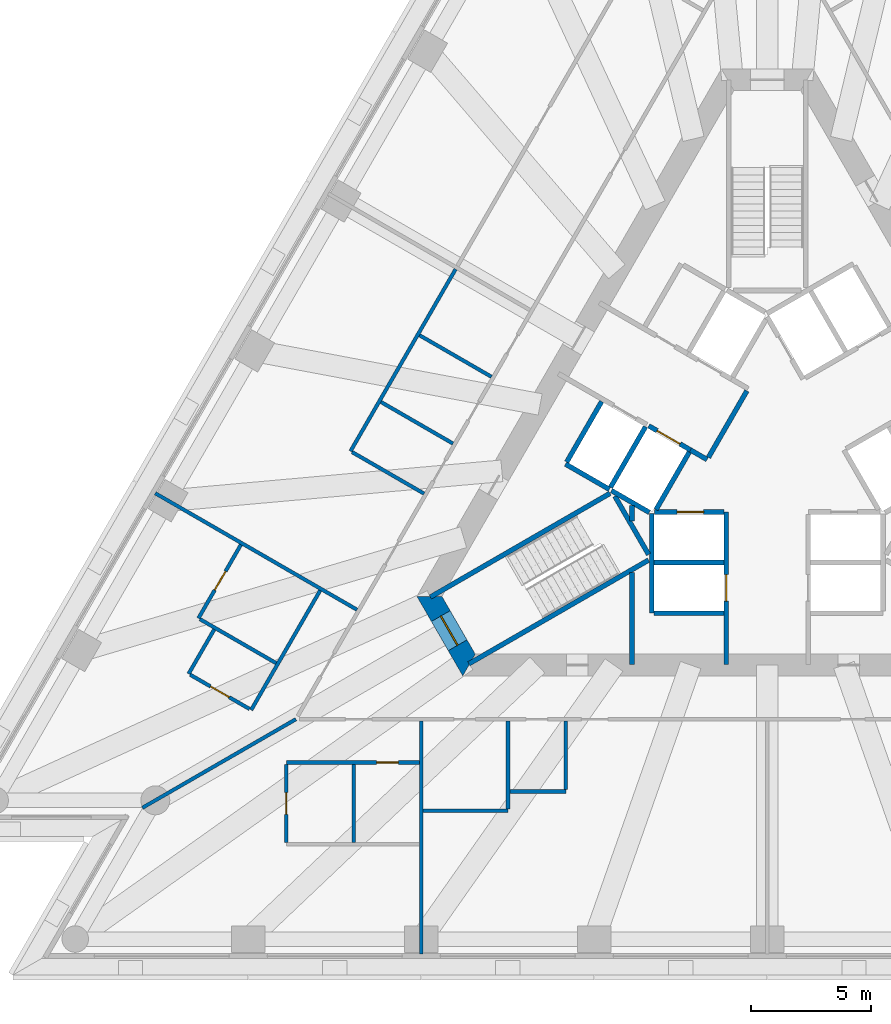
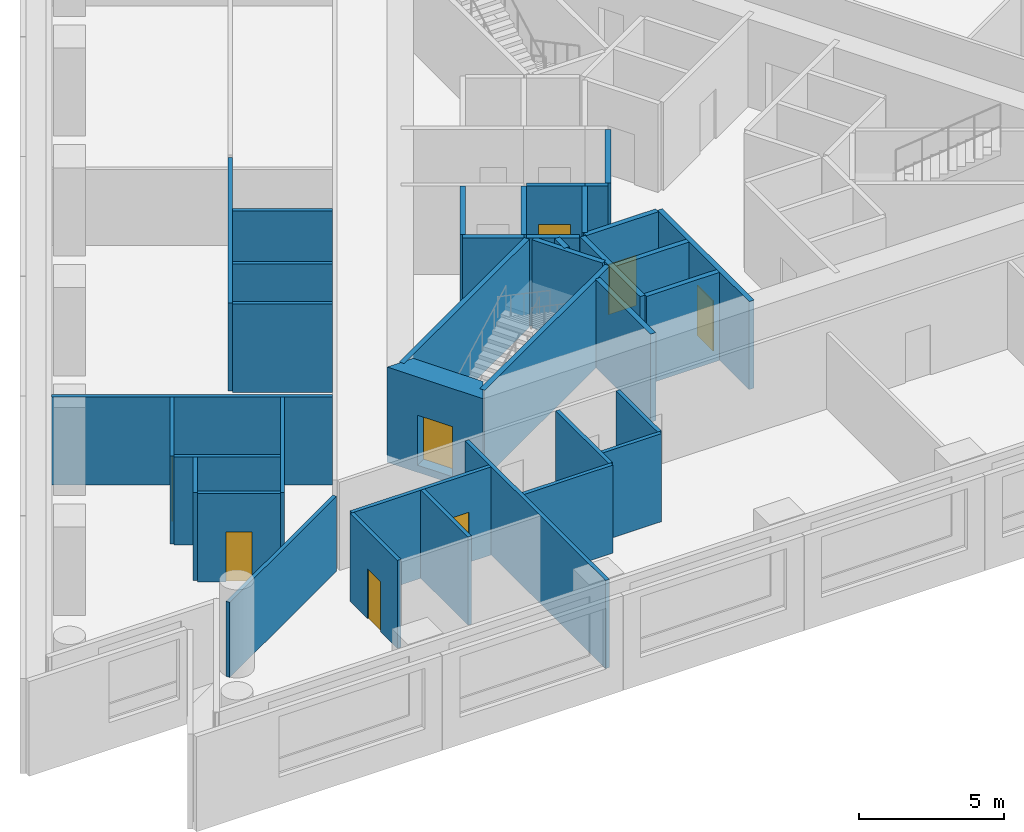
# One storey, part 3 of 11: 38 walls, 8 doors, 8 openings.
"""IFC4 building model written with IfcOpenShell, lengths in metres."""

from ifc_helpers import new_model, si_unit, direction, frame, frame_2d, origin, place, context, subcontext, project, spatial, polyline, rectangle, outline, extrude, material, layer, layer_set, type_object, element, fill, save


model = new_model("IFC4")

# Units and contexts
model_context = context("Model", 3, precision=1e-05, world=origin(), true_north=direction((0.0, 1.0)))
body_context = subcontext(model_context, "Body", "Model", "MODEL_VIEW")
ifc_project = project(units=[si_unit("LENGTHUNIT", "METRE"), si_unit("AREAUNIT", "SQUARE_METRE"), si_unit("VOLUMEUNIT", "CUBIC_METRE"), si_unit("PLANEANGLEUNIT", "RADIAN"), si_unit("MASSUNIT", "GRAM", prefix="KILO")], contexts=[model_context])

# Site, building, storey
site_placement = place(None, origin())
site = spatial("IfcSite", under=ifc_project, at=site_placement, CompositionType="ELEMENT")
building_placement = place(site_placement, origin())
building = spatial("IfcBuilding", under=site, at=building_placement, Name="Triada Interchange Tower", CompositionType="ELEMENT")
storey_placement = place(building_placement, frame((0.0, 0.0, 91.300048828125)))
storey = spatial("IfcBuildingStorey", under=building, at=storey_placement, Name="L20", CompositionType="ELEMENT", Elevation=91.300048828125)

# Walls
ifc_material_1 = material(Name="Concrete C30/37", Category="concrete")
ifc_layer_1 = layer(ifc_material_1, 0.199951171875)
ifc_layer_set_1 = layer_set([ifc_layer_1], Name="CORE WALL 200 EI 120")
wall_type_1 = type_object("IfcWallType", Name="CORE WALL 200 EI 120", PredefinedType="SOLIDWALL", material=ifc_layer_set_1)
wall_1_placement = place(storey_placement, frame((-8.3759765625, -0.70703125, 0.0), z_axis=(0.0, 0.0, 1.0), x_axis=(0.866067520717, -0.499927044236, 0.0)))
element("IfcWall", 1, at=wall_1_placement, inside=storey, type_object=wall_type_1, Name="Wall L18 42", PredefinedType="SOLIDWALL", context=body_context, shape_type="SweptSolid", body=[
    extrude(rectangle(XDim=2.100341796875, YDim=0.199951171875, at=frame_2d((1.05029296875, 0.0))), origin(), (0.0, 0.0, 1.0), 3.699951171875),
])
wall_2_placement = place(storey_placement, frame((-8.325927734375, -0.6201171875, 0.0), z_axis=(0.0, 0.0, 1.0), x_axis=(0.500023687443, 0.866011727401, 0.0)))
element("IfcWall", 2, at=wall_2_placement, inside=storey, type_object=wall_type_1, Name="Wall L18 43", PredefinedType="SOLIDWALL", context=body_context, shape_type="SweptSolid", body=[
    extrude(rectangle(XDim=2.899658203125, YDim=0.199951171875, at=frame_2d((1.44970703125, 0.0))), origin(), (0.0, 0.0, 1.0), 3.699951171875),
])
wall_3_placement = place(storey_placement, frame((-4.699951171875, -4.800048828125, 0.0), z_axis=(0.0, 0.0, 1.0), x_axis=(1.0, 0.0, 0.0)))
element("IfcWall", 3, at=wall_3_placement, inside=storey, type_object=wall_type_1, Name="Wall L18 44", PredefinedType="SOLIDWALL", context=body_context, shape_type="SweptSolid", body=[
    extrude(rectangle(XDim=2.89990234375, YDim=0.199951171875, at=frame_2d((1.449951171875, 0.0))), origin(), (0.0, 0.0, 1.0), 3.699951171875),
])
wall_4_placement = place(storey_placement, frame((-4.800048828125, -6.89990234375, 0.0), z_axis=(0.0, 0.0, 1.0), x_axis=(0.0, 1.0, 0.0)))
element("IfcWall", 4, at=wall_4_placement, inside=storey, type_object=wall_type_1, Name="Wall L18 46", PredefinedType="SOLIDWALL", context=body_context, shape_type="SweptSolid", body=[
    extrude(rectangle(XDim=4.130859375, YDim=0.199951171875, at=frame_2d((2.0654296875, 0.0))), origin(), (0.0, 0.0, 1.0), 3.699951171875),
])
wall_5_placement = place(storey_placement, frame((-4.699951171875, -6.89990234375, 0.0), z_axis=(0.0, 0.0, 1.0), x_axis=(1.0, 0.0, 0.0)))
element("IfcWall", 5, at=wall_5_placement, inside=storey, type_object=wall_type_1, Name="Wall L18 47", PredefinedType="SOLIDWALL", context=body_context, shape_type="SweptSolid", body=[
    extrude(rectangle(XDim=2.89990234375, YDim=0.199951171875, at=frame_2d((1.449951171875, 0.0))), origin(), (0.0, 0.0, 1.0), 3.699951171875),
])

# Wall, opening, door
wall_6_placement = place(storey_placement, frame((-1.699951171875, -9.030029296875, 0.0), z_axis=(0.0, 0.0, 1.0), x_axis=(0.0, 1.0, 0.0)))
wall_6 = element("IfcWall", 6, at=wall_6_placement, inside=storey, type_object=wall_type_1, Name="Wall L18 49", PredefinedType="SOLIDWALL", context=body_context, shape_type="SweptSolid", body=[
    extrude(rectangle(XDim=6.3271484375, YDim=0.199951171875, at=frame_2d((3.16357421875, 0.0))), origin(), (0.0, 0.0, 1.0), 3.699951171875),
])
opening_1_placement = place(wall_6_placement, frame((2.6298828125, 0.0, 0.0)))
opening_1 = element("IfcOpeningElement", 7, at=opening_1_placement, cuts=wall_6, Name="Opening LD-LR4", PredefinedType="OPENING", context=body_context, shape_type="SweptSolid", body=[
    extrude(rectangle(XDim=1.10009765625, YDim=2.10009765625, at=frame_2d((0.550048828125, 1.050048828125))), frame((0.0, 0.10986328125, 0.0), z_axis=(0.0, -1.0, 0.0), x_axis=(1.0, 0.0, 0.0)), (0.0, 0.0, 1.0), 0.219970703125),
])
ifc_material_2 = material(Name="Steel S235 door leaf", Category="steel")
door_type_1 = type_object("IfcDoorType", Name="LIFT LANDING DOOR 1100 EI 120", OperationType="SLIDING_TO_LEFT", PredefinedType="DOOR", material=ifc_material_2)
door_1_placement = place(opening_1_placement, origin())
door_1 = element("IfcDoor", 8, at=door_1_placement, inside=storey, type_object=door_type_1, Name="LR4 landing door L20", OperationType="SLIDING_TO_LEFT", OverallHeight=2.10009765625, OverallWidth=1.10009765625, PredefinedType="DOOR", context=body_context, shape_type="SweptSolid", body=[
    extrude(rectangle(XDim=1.10009765625, YDim=2.10009765625, at=frame_2d((0.550048828125, 1.050048828125))), frame((0.0, 0.02490234375, 0.0), z_axis=(0.0, -1.0, 0.0), x_axis=(1.0, 0.0, 0.0)), (0.0, 0.0, 1.0), 0.050048828125),
])
fill(opening_1, door_1)

wall_7_placement = place(storey_placement, frame((-4.676025390625, -2.699951171875, 0.0), z_axis=(0.0, 0.0, 1.0), x_axis=(1.0, 0.0, 0.0)))
wall_7 = element("IfcWall", 9, at=wall_7_placement, inside=storey, type_object=wall_type_1, Name="Wall L18 50", PredefinedType="SOLIDWALL", context=body_context, shape_type="SweptSolid", body=[
    extrude(rectangle(XDim=2.873046875, YDim=0.199951171875, at=frame_2d((1.4365234375, 0.0))), origin(), (0.0, 0.0, 1.0), 3.699951171875),
])
opening_2_placement = place(wall_7_placement, frame((0.93701171875, 0.0, 0.0)))
opening_2 = element("IfcOpeningElement", 10, at=opening_2_placement, cuts=wall_7, Name="Opening LD-LR3", PredefinedType="OPENING", context=body_context, shape_type="SweptSolid", body=[
    extrude(rectangle(XDim=1.10009765625, YDim=2.10009765625, at=frame_2d((0.550048828125, 1.050048828125))), frame((0.0, 0.10986328125, 0.0), z_axis=(0.0, -1.0, 0.0), x_axis=(1.0, 0.0, 0.0)), (0.0, 0.0, 1.0), 0.219970703125),
])
door_2_placement = place(opening_2_placement, origin())
door_2 = element("IfcDoor", 11, at=door_2_placement, inside=storey, type_object=door_type_1, Name="LR3 landing door L20", OperationType="SLIDING_TO_LEFT", OverallHeight=2.10009765625, OverallWidth=1.10009765625, PredefinedType="DOOR", context=body_context, shape_type="SweptSolid", body=[
    extrude(rectangle(XDim=1.10009765625, YDim=2.10009765625, at=frame_2d((0.550048828125, 1.050048828125))), frame((0.0, 0.02490234375, 0.0), z_axis=(0.0, -1.0, 0.0), x_axis=(1.0, 0.0, 0.0)), (0.0, 0.0, 1.0), 0.050048828125),
])
fill(opening_2, door_2)

# Walls
ifc_layer_2 = layer(ifc_material_1, 0.199951171875)
ifc_layer_set_2 = layer_set([ifc_layer_2], Name="CORE WALL 200 EI 180")
wall_type_2 = type_object("IfcWallType", Name="CORE WALL 200 EI 180", PredefinedType="SOLIDWALL", material=ifc_layer_set_2)
wall_8_placement = place(storey_placement, frame((-3.18798828125, -0.1220703125, 0.0), z_axis=(0.0, 0.0, 1.0), x_axis=(0.865705793592, -0.50055317294, 0.0)))
element("IfcWall", 12, at=wall_8_placement, inside=storey, type_object=wall_type_2, Name="Wall L18 65", PredefinedType="SOLIDWALL", context=body_context, shape_type="SweptSolid", body=[
    extrude(rectangle(XDim=0.796875, YDim=0.199951171875, at=frame_2d((0.3984375, 0.0))), origin(), (0.0, 0.0, 1.0), 3.699951171875),
])
wall_9_placement = place(storey_placement, frame((-2.444091796875, -0.43310546875, 0.0), z_axis=(0.0, 0.0, 1.0), x_axis=(0.500035624827, 0.866004834804, 0.0)))
element("IfcWall", 13, at=wall_9_placement, inside=storey, type_object=wall_type_2, Name="Wall L18 70", PredefinedType="SOLIDWALL", context=body_context, shape_type="SweptSolid", body=[
    extrude(rectangle(XDim=3.194091796875, YDim=0.199951171875, at=frame_2d((1.59716796875, 0.0))), origin(), (0.0, 0.0, 1.0), 3.699951171875),
])
wall_10_placement = place(storey_placement, frame((-6.507080078125, -1.669921875, 0.0), z_axis=(0.0, 0.0, 1.0), x_axis=(0.50012328804, 0.865954211699, 0.0)))
element("IfcWall", 14, at=wall_10_placement, inside=storey, type_object=wall_type_2, Name="Shaft wall FF1 L18 71", PredefinedType="SOLIDWALL", context=body_context, shape_type="SweptSolid", body=[
    extrude(rectangle(XDim=2.899658203125, YDim=0.199951171875, at=frame_2d((1.44970703125, 0.0))), origin(), (0.0, 0.0, 1.0), 3.699951171875),
])
wall_11_placement = place(storey_placement, frame((-6.469970703125, -1.806884765625, 0.0), z_axis=(0.0, 0.0, 1.0), x_axis=(0.865883195159, -0.500246231712, 0.0)))
element("IfcWall", 15, at=wall_11_placement, inside=storey, type_object=wall_type_2, Name="Shaft wall FF1 L18 72", PredefinedType="SOLIDWALL", context=body_context, shape_type="SweptSolid", body=[
    extrude(rectangle(XDim=1.8154296875, YDim=0.199951171875, at=frame_2d((0.90771484375, 0.0))), origin(), (0.0, 0.0, 1.0), 3.699951171875),
])

# Wall, opening, door
wall_12_placement = place(storey_placement, frame((-4.922119140625, 0.87890625, 0.0), z_axis=(0.0, 0.0, 1.0), x_axis=(0.866073918653, -0.499915960366, 0.0)))
wall_12 = element("IfcWall", 16, at=wall_12_placement, inside=storey, type_object=wall_type_2, Name="Shaft wall FF1 L18 73", PredefinedType="SOLIDWALL", context=body_context, shape_type="SweptSolid", body=[
    extrude(rectangle(XDim=2.002197265625, YDim=0.199951171875, at=frame_2d((1.0009765625, 0.0))), origin(), (0.0, 0.0, 1.0), 3.699951171875),
])
opening_3_placement = place(wall_12_placement, frame((0.402099609375, 0.0, 0.0)))
opening_3 = element("IfcOpeningElement", 17, at=opening_3_placement, cuts=wall_12, Name="Opening LD-FF1", PredefinedType="OPENING", context=body_context, shape_type="SweptSolid", body=[
    extrude(rectangle(XDim=1.10009765625, YDim=2.10009765625, at=frame_2d((0.550048828125, 1.050048828125))), frame((0.0, 0.10986328125, 0.0), z_axis=(0.0, -1.0, 0.0), x_axis=(1.0, 0.0, 0.0)), (0.0, 0.0, 1.0), 0.219970703125),
])
door_3_placement = place(opening_3_placement, origin())
door_3 = element("IfcDoor", 18, at=door_3_placement, inside=storey, type_object=door_type_1, Name="FF1 landing door L20", OperationType="SLIDING_TO_LEFT", OverallHeight=2.10009765625, OverallWidth=1.10009765625, PredefinedType="DOOR", context=body_context, shape_type="SweptSolid", body=[
    extrude(rectangle(XDim=1.10009765625, YDim=2.10009765625, at=frame_2d((0.550048828125, 1.050048828125))), frame((0.0, 0.02490234375, 0.0), z_axis=(0.0, -1.0, 0.0), x_axis=(1.0, 0.0, 0.0)), (0.0, 0.0, 1.0), 0.050048828125),
])
fill(opening_3, door_3)

# Walls
wall_13_placement = place(storey_placement, frame((-4.618896484375, -2.60009765625, 0.0), z_axis=(0.0, 0.0, 1.0), x_axis=(0.50009492287, 0.865970593103, 0.0)))
element("IfcWall", 19, at=wall_13_placement, inside=storey, type_object=wall_type_2, Name="Shaft wall FF1 L18 74", PredefinedType="SOLIDWALL", context=body_context, shape_type="SweptSolid", body=[
    extrude(rectangle(XDim=2.76123046875, YDim=0.199951171875, at=frame_2d((1.380615234375, 0.0))), origin(), (0.0, 0.0, 1.0), 3.699951171875),
])
ifc_layer_3 = layer(ifc_material_1, 0.199951171875)
ifc_layer_set_3 = layer_set([ifc_layer_3], Name="CORE WALL 200 EI 90")
wall_type_3 = type_object("IfcWallType", Name="CORE WALL 200 EI 90", PredefinedType="SOLIDWALL", material=ifc_layer_set_3)
wall_14_placement = place(storey_placement, frame((-5.612060546875, -9.030029296875, 0.0), z_axis=(0.0, 0.0, 1.0), x_axis=(0.0, 1.0, 0.0)))
element("IfcWall", 20, at=wall_14_placement, inside=storey, type_object=wall_type_3, Name="Wall L18 79", PredefinedType="SOLIDWALL", context=body_context, shape_type="SweptSolid", body=[
    extrude(rectangle(XDim=3.8271484375, YDim=0.199951171875, at=frame_2d((1.91357421875, 0.0))), origin(), (0.0, 0.0, 1.0), 3.699951171875),
])
wall_15_placement = place(storey_placement, frame((-5.612060546875, -3.080078125, 0.0), z_axis=(0.0, 0.0, 1.0), x_axis=(0.0, 1.0, 0.0)))
element("IfcWall", 21, at=wall_15_placement, inside=storey, type_object=wall_type_3, Name="Wall L18 80", PredefinedType="SOLIDWALL", context=body_context, shape_type="SweptSolid", body=[
    extrude(rectangle(XDim=0.662109375, YDim=0.199951171875, at=frame_2d((0.3310546875, 0.0))), origin(), (0.0, 0.0, 1.0), 3.699951171875),
])
ifc_layer_4 = layer(ifc_material_1, 0.199951171875)
ifc_layer_set_4 = layer_set([ifc_layer_4], Name="CORE WALL 200 REI 240")
wall_type_4 = type_object("IfcWallType", Name="CORE WALL 200 REI 240", PredefinedType="SOLIDWALL", material=ifc_layer_set_4)
wall_16_placement = place(storey_placement, frame((-13.989990234375, -6.22900390625, 0.0), z_axis=(0.0, 0.0, 1.0), x_axis=(0.866060059011, 0.499939970583, 0.0)))
element("IfcWall", 22, at=wall_16_placement, inside=storey, type_object=wall_type_4, Name="Wall L18 81", PredefinedType="SOLIDWALL", context=body_context, shape_type="SweptSolid", body=[
    extrude(rectangle(XDim=8.61474609375, YDim=0.199951171875, at=frame_2d((4.307373046875, 0.0))), origin(), (0.0, 0.0, 1.0), 3.699951171875),
])
wall_17_placement = place(storey_placement, frame((-6.3291015625, -2.0380859375, 0.0), z_axis=(0.0, 0.0, 1.0), x_axis=(0.500200581029, -0.865909567298, 0.0)))
element("IfcWall", 23, at=wall_17_placement, inside=storey, type_object=wall_type_4, Name="Wall L18 82", PredefinedType="SOLIDWALL", context=body_context, shape_type="SweptSolid", body=[
    extrude(rectangle(XDim=2.799072265625, YDim=0.199951171875, at=frame_2d((1.3994140625, 0.0))), origin(), (0.0, 0.0, 1.0), 3.699951171875),
])
wall_18_placement = place(storey_placement, frame((-12.389892578125, -9.0009765625, 0.0), z_axis=(0.0, 0.0, 1.0), x_axis=(0.866010975815, 0.500024989144, 0.0)))
element("IfcWall", 24, at=wall_18_placement, inside=storey, type_object=wall_type_4, Name="Wall L18 83", PredefinedType="SOLIDWALL", context=body_context, shape_type="SweptSolid", body=[
    extrude(rectangle(XDim=8.615234375, YDim=0.199951171875, at=frame_2d((4.3076171875, 0.0))), origin(), (0.0, 0.0, 1.0), 3.699951171875),
])

# Wall, opening, door
ifc_material_3 = material(Name="Concrete C70/85", Category="concrete")
ifc_layer_5 = layer(ifc_material_3, 0.89990234375)
ifc_layer_set_5 = layer_set([ifc_layer_5], Name="Core wall A 900")
wall_type_5 = type_object("IfcWallType", Name="Core wall A 900", PredefinedType="SHEAR", material=ifc_layer_set_5)
wall_19_placement = place(storey_placement, frame((-14.030029296875, -6.199951171875, -0.300048828125), z_axis=(0.0, 0.0, 1.0), x_axis=(0.500111984565, -0.865960739811, 0.0)))
wall_19 = element("IfcWall", 25, at=wall_19_placement, inside=storey, type_object=wall_type_5, Name="Core wall WA03 L20", PredefinedType="SHEAR", context=body_context, shape_type="SweptSolid", body=[
    extrude(outline(polyline([(-0.260009765625, -0.448974609375), (1.6455078125, -0.449462890625), (3.551025390625, -0.449951171875), (3.031982421875, 0.449951171875), (1.64599609375, 0.449951171875), (0.260009765625, 0.449951171875), (-0.260009765625, -0.448974609375)])), origin(), (0.0, 0.0, 1.0), 4.0),
])
opening_4_placement = place(wall_19_placement, frame((0.946044921875, 0.0, 0.300048828125)))
opening_4 = element("IfcOpeningElement", 26, at=opening_4_placement, cuts=wall_19, Name="Opening D18-40", PredefinedType="OPENING", context=body_context, shape_type="SweptSolid", body=[
    extrude(rectangle(XDim=1.39990234375, YDim=2.10009765625, at=frame_2d((0.699951171875, 1.050048828125))), frame((0.0, 0.4599609375, 0.0), z_axis=(0.0, -1.0, 0.0), x_axis=(1.0, 0.0, 0.0)), (0.0, 0.0, 1.0), 0.919921875),
])
door_type_2 = type_object("IfcDoorType", Name="STAIR DOOR 1400 EI2 90-C5S200", OperationType="DOUBLE_DOOR_SINGLE_SWING", PredefinedType="DOOR", material=ifc_material_2)
door_4_placement = place(opening_4_placement, origin())
door_4 = element("IfcDoor", 27, at=door_4_placement, inside=storey, type_object=door_type_2, Name="Door D18-40 L20", OperationType="DOUBLE_DOOR_SINGLE_SWING", OverallHeight=2.10009765625, OverallWidth=1.39990234375, PredefinedType="DOOR", context=body_context, shape_type="SweptSolid", body=[
    extrude(rectangle(XDim=1.39990234375, YDim=2.10009765625, at=frame_2d((0.699951171875, 1.050048828125))), frame((0.0, 0.02490234375, 0.0), z_axis=(0.0, -1.0, 0.0), x_axis=(1.0, 0.0, 0.0)), (0.0, 0.0, 1.0), 0.050048828125),
])
fill(opening_4, door_4)

# Walls
ifc_material_4 = material(Name="Gypsum board partition")
ifc_layer_6 = layer(ifc_material_4, 0.14990234375)
ifc_layer_set_6 = layer_set([ifc_layer_6], Name="PARTITION 150 EI 180")
wall_type_6 = type_object("IfcWallType", Name="PARTITION 150 EI 180", PredefinedType="PARTITIONING", material=ifc_layer_set_6)
wall_20_placement = place(storey_placement, frame((-25.946044921875, -14.97998046875, 0.0), z_axis=(0.0, 0.0, 1.0), x_axis=(0.866032022822, 0.499988535315, 0.0)))
element("IfcWall", 28, at=wall_20_placement, inside=storey, type_object=wall_type_6, Name="Wall L18 1", PredefinedType="PARTITIONING", context=body_context, shape_type="SweptSolid", body=[
    extrude(rectangle(XDim=7.360107421875, YDim=0.14990234375, at=frame_2d((3.68017578125, 0.0))), origin(), (0.0, 0.0, 1.0), 3.14990234375),
])
wall_21_placement = place(storey_placement, frame((-25.4130859375, -1.91796875, 0.0), z_axis=(0.0, 0.0, 1.0), x_axis=(0.866035557451, -0.499982412921, 0.0)))
element("IfcWall", 29, at=wall_21_placement, inside=storey, type_object=wall_type_6, Name="Wall L18 2", PredefinedType="PARTITIONING", context=body_context, shape_type="SweptSolid", body=[
    extrude(rectangle(XDim=9.674072265625, YDim=0.14990234375, at=frame_2d((4.8369140625, 0.0))), origin(), (0.0, 0.0, 1.0), 3.699951171875),
])
wall_22_placement = place(storey_placement, frame((-17.303955078125, -0.1708984375, 0.0), z_axis=(0.0, 0.0, 1.0), x_axis=(0.500054279689, 0.865994063124, 0.0)))
element("IfcWall", 30, at=wall_22_placement, inside=storey, type_object=wall_type_6, Name="Wall L18 7", PredefinedType="PARTITIONING", context=body_context, shape_type="SweptSolid", body=[
    extrude(rectangle(XDim=8.72509765625, YDim=0.14990234375, at=frame_2d((4.362548828125, 0.0))), origin(), (0.0, 0.0, 1.0), 3.699951171875),
])
for number, where, z_axis, x_axis, name in (
    (31, (-17.239013671875, -0.208984375, 0.0), (0.0, 0.0, 1.0), (0.866031223622, -0.49998991961, 0.0), "Wall L18 8"),
    (32, (-16.0390625, 1.8701171875, 0.0), (0.0, 0.0, 1.0), (0.866031223622, -0.49998991961, 0.0), "Wall L18 9"),
    (33, (-14.43896484375, 4.64111328125, 0.0), (0.0, 0.0, 1.0), (0.866031223622, -0.49998991961, 0.0), "Wall L18 10"),
):
    element("IfcWall", number, at=place(storey_placement, frame(where, z_axis=z_axis, x_axis=x_axis)), inside=storey, type_object=wall_type_6, Name=name, PredefinedType="PARTITIONING", context=body_context, shape_type="SweptSolid", body=[
        extrude(rectangle(XDim=3.4501953125, YDim=0.14990234375, at=frame_2d((1.72509765625, 0.0))), origin(), (0.0, 0.0, 1.0), 3.699951171875),
    ])
wall_23_placement = place(storey_placement, frame((-14.366943359375, -21.049072265625, 0.0), z_axis=(0.0, 0.0, 1.0), x_axis=(0.0, 1.0, 0.0)))
element("IfcWall", 34, at=wall_23_placement, inside=storey, type_object=wall_type_6, Name="Wall L18 11", PredefinedType="PARTITIONING", context=body_context, shape_type="SweptSolid", body=[
    extrude(rectangle(XDim=9.674072265625, YDim=0.14990234375, at=frame_2d((4.8369140625, 0.0))), origin(), (0.0, 0.0, 1.0), 3.699951171875),
])
wall_24_placement = place(storey_placement, frame((-14.2919921875, -15.10009765625, 0.0), z_axis=(0.0, 0.0, 1.0), x_axis=(1.0, 0.0, 0.0)))
element("IfcWall", 35, at=wall_24_placement, inside=storey, type_object=wall_type_6, Name="Wall L18 12", PredefinedType="PARTITIONING", context=body_context, shape_type="SweptSolid", body=[
    extrude(rectangle(XDim=3.52490234375, YDim=0.14990234375, at=frame_2d((1.762451171875, 0.0))), origin(), (0.0, 0.0, 1.0), 3.699951171875),
])
wall_25_placement = place(storey_placement, frame((-10.76708984375, -15.02490234375, 0.0), z_axis=(0.0, 0.0, 1.0), x_axis=(0.0, 1.0, 0.0)))
element("IfcWall", 36, at=wall_25_placement, inside=storey, type_object=wall_type_6, Name="Wall L18 13", PredefinedType="PARTITIONING", context=body_context, shape_type="SweptSolid", body=[
    extrude(rectangle(XDim=3.64990234375, YDim=0.14990234375, at=frame_2d((1.824951171875, 0.0))), origin(), (0.0, 0.0, 1.0), 3.699951171875),
])
wall_26_placement = place(storey_placement, frame((-10.69189453125, -14.300048828125, 0.0), z_axis=(0.0, 0.0, 1.0), x_axis=(1.0, 0.0, 0.0)))
element("IfcWall", 37, at=wall_26_placement, inside=storey, type_object=wall_type_6, Name="Wall L18 15", PredefinedType="PARTITIONING", context=body_context, shape_type="SweptSolid", body=[
    extrude(rectangle(XDim=2.324951171875, YDim=0.14990234375, at=frame_2d((1.16259765625, 0.0))), origin(), (0.0, 0.0, 1.0), 3.699951171875),
])
wall_27_placement = place(storey_placement, frame((-8.366943359375, -14.22509765625, 0.0), z_axis=(0.0, 0.0, 1.0), x_axis=(0.0, 1.0, 0.0)))
element("IfcWall", 38, at=wall_27_placement, inside=storey, type_object=wall_type_6, Name="Wall L18 16", PredefinedType="PARTITIONING", context=body_context, shape_type="SweptSolid", body=[
    extrude(rectangle(XDim=2.85009765625, YDim=0.14990234375, at=frame_2d((1.425048828125, 0.0))), origin(), (0.0, 0.0, 1.0), 3.699951171875),
])
ifc_layer_7 = layer(ifc_material_4, 0.14990234375)
ifc_layer_set_7 = layer_set([ifc_layer_7], Name="PARTITION 150 EI 90")
wall_type_7 = type_object("IfcWallType", Name="PARTITION 150 EI 90", PredefinedType="PARTITIONING", material=ifc_layer_set_7)
wall_28_placement = place(storey_placement, frame((-21.428955078125, -10.916015625, 0.0), z_axis=(0.0, 0.0, 1.0), x_axis=(0.500069422629, 0.865985318901, 0.0)))
element("IfcWall", 39, at=wall_28_placement, inside=storey, type_object=wall_type_7, Name="Wall L18 28", PredefinedType="PARTITIONING", context=body_context, shape_type="SweptSolid", body=[
    extrude(rectangle(XDim=5.725341796875, YDim=0.14990234375, at=frame_2d((2.86279296875, 0.0))), origin(), (0.0, 0.0, 1.0), 3.699951171875),
])

# Wall, opening, door
wall_29_placement = place(storey_placement, frame((-23.6201171875, -7.110107421875, 0.0), z_axis=(0.0, 0.0, 1.0), x_axis=(0.500236053335, 0.865889075427, 0.0)))
wall_29 = element("IfcWall", 40, at=wall_29_placement, inside=storey, type_object=wall_type_7, Name="Wall L18 29", PredefinedType="PARTITIONING", context=body_context, shape_type="SweptSolid", body=[
    extrude(rectangle(XDim=3.524658203125, YDim=0.14990234375, at=frame_2d((1.76220703125, 0.0))), origin(), (0.0, 0.0, 1.0), 3.699951171875),
])
opening_5_placement = place(wall_29_placement, frame((1.35009765625, 0.0, 0.0)))
opening_5 = element("IfcOpeningElement", 41, at=opening_5_placement, cuts=wall_29, Name="Opening D18-36", PredefinedType="OPENING", context=body_context, shape_type="SweptSolid", body=[
    extrude(rectangle(XDim=0.89990234375, YDim=2.10009765625, at=frame_2d((0.449951171875, 1.050048828125))), frame((0.0, 0.0849609375, 0.0), z_axis=(0.0, -1.0, 0.0), x_axis=(1.0, 0.0, 0.0)), (0.0, 0.0, 1.0), 0.169921875),
])
door_type_3 = type_object("IfcDoorType", Name="ROOM DOOR 900 EI2 45-C5S200", OperationType="NOTDEFINED", PredefinedType="DOOR", material=ifc_material_2)
door_5_placement = place(opening_5_placement, origin())
door_5 = element("IfcDoor", 42, at=door_5_placement, inside=storey, type_object=door_type_3, Name="Door D18-36 L20", OperationType="SINGLE_SWING_LEFT", OverallHeight=2.10009765625, OverallWidth=0.89990234375, PredefinedType="DOOR", context=body_context, shape_type="SweptSolid", body=[
    extrude(rectangle(XDim=0.89990234375, YDim=2.10009765625, at=frame_2d((0.449951171875, 1.050048828125))), frame((0.0, 0.02490234375, 0.0), z_axis=(0.0, -1.0, 0.0), x_axis=(1.0, 0.0, 0.0)), (0.0, 0.0, 1.0), 0.050048828125),
])
fill(opening_5, door_5)

# Walls
wall_30_placement = place(storey_placement, frame((-23.554931640625, -7.14794921875, 0.0), z_axis=(0.0, 0.0, 1.0), x_axis=(0.866024069551, -0.500002310952, 0.0)))
element("IfcWall", 43, at=wall_30_placement, inside=storey, type_object=wall_type_7, Name="Wall L18 30", PredefinedType="PARTITIONING", context=body_context, shape_type="SweptSolid", body=[
    extrude(rectangle(XDim=3.64990234375, YDim=0.14990234375, at=frame_2d((1.824951171875, 0.0))), origin(), (0.0, 0.0, 1.0), 3.699951171875),
])
wall_31_placement = place(storey_placement, frame((-24.027099609375, -9.416015625, 0.0), z_axis=(0.0, 0.0, 1.0), x_axis=(0.500017365573, 0.866015377534, 0.0)))
element("IfcWall", 44, at=wall_31_placement, inside=storey, type_object=wall_type_7, Name="Wall L18 31", PredefinedType="PARTITIONING", context=body_context, shape_type="SweptSolid", body=[
    extrude(rectangle(XDim=2.1259765625, YDim=0.14990234375, at=frame_2d((1.06298828125, 0.0))), origin(), (0.0, 0.0, 1.0), 3.699951171875),
])

# Wall, opening, door
wall_32_placement = place(storey_placement, frame((-23.9619140625, -9.452880859375, 0.0), z_axis=(0.0, 0.0, 1.0), x_axis=(0.866004402611, -0.500036373335, 0.0)))
wall_32 = element("IfcWall", 45, at=wall_32_placement, inside=storey, type_object=wall_type_7, Name="Wall L18 32", PredefinedType="PARTITIONING", context=body_context, shape_type="SweptSolid", body=[
    extrude(rectangle(XDim=2.849853515625, YDim=0.14990234375, at=frame_2d((1.4248046875, 0.0))), origin(), (0.0, 0.0, 1.0), 3.699951171875),
])
opening_6_placement = place(wall_32_placement, frame((0.97509765625, 0.0, 0.0)))
opening_6 = element("IfcOpeningElement", 46, at=opening_6_placement, cuts=wall_32, Name="Opening D18-37", PredefinedType="OPENING", context=body_context, shape_type="SweptSolid", body=[
    extrude(rectangle(XDim=0.89990234375, YDim=2.10009765625, at=frame_2d((0.449951171875, 1.050048828125))), frame((0.0, 0.0849609375, 0.0), z_axis=(0.0, -1.0, 0.0), x_axis=(1.0, 0.0, 0.0)), (0.0, 0.0, 1.0), 0.169921875),
])
door_type_4 = type_object("IfcDoorType", Name="SERVICE DOOR 900 EI2 45-C5S200", OperationType="NOTDEFINED", PredefinedType="DOOR", material=ifc_material_2)
door_6_placement = place(opening_6_placement, origin())
door_6 = element("IfcDoor", 47, at=door_6_placement, inside=storey, type_object=door_type_4, Name="Door D18-37 L20", OperationType="SINGLE_SWING_RIGHT", OverallHeight=2.10009765625, OverallWidth=0.89990234375, PredefinedType="DOOR", context=body_context, shape_type="SweptSolid", body=[
    extrude(rectangle(XDim=0.89990234375, YDim=2.10009765625, at=frame_2d((0.449951171875, 1.050048828125))), frame((0.0, 0.02490234375, 0.0), z_axis=(0.0, -1.0, 0.0), x_axis=(1.0, 0.0, 0.0)), (0.0, 0.0, 1.0), 0.050048828125),
])
fill(opening_6, door_6)

# Wall
wall_33_placement = place(storey_placement, frame((-17.1669921875, -16.425048828125, 0.0), z_axis=(0.0, 0.0, 1.0), x_axis=(0.0, 1.0, 0.0)))
element("IfcWall", 48, at=wall_33_placement, inside=storey, type_object=wall_type_7, Name="Wall L18 34", PredefinedType="PARTITIONING", context=body_context, shape_type="SweptSolid", body=[
    extrude(rectangle(XDim=3.25, YDim=0.14990234375, at=frame_2d((1.625, 0.0))), origin(), (0.0, 0.0, 1.0), 3.699951171875),
])

# Wall, opening, door
wall_34_placement = place(storey_placement, frame((-19.967041015625, -13.10009765625, 0.0), z_axis=(0.0, 0.0, 1.0), x_axis=(1.0, 0.0, 0.0)))
wall_34 = element("IfcWall", 49, at=wall_34_placement, inside=storey, type_object=wall_type_7, Name="Wall L18 35", PredefinedType="PARTITIONING", context=body_context, shape_type="SweptSolid", body=[
    extrude(rectangle(XDim=5.525146484375, YDim=0.14990234375, at=frame_2d((2.7626953125, 0.0))), origin(), (0.0, 0.0, 1.0), 3.699951171875),
])
opening_7_placement = place(wall_34_placement, frame((3.75, 0.0, 0.0)))
opening_7 = element("IfcOpeningElement", 50, at=opening_7_placement, cuts=wall_34, Name="Opening D18-12", PredefinedType="OPENING", context=body_context, shape_type="SweptSolid", body=[
    extrude(rectangle(XDim=0.89990234375, YDim=2.10009765625, at=frame_2d((0.449951171875, 1.050048828125))), frame((0.0, 0.0849609375, 0.0), z_axis=(0.0, -1.0, 0.0), x_axis=(1.0, 0.0, 0.0)), (0.0, 0.0, 1.0), 0.169921875),
])
door_7_placement = place(opening_7_placement, origin())
door_7 = element("IfcDoor", 51, at=door_7_placement, inside=storey, type_object=door_type_3, Name="Door D18-12 L20", OperationType="SINGLE_SWING_LEFT", OverallHeight=2.10009765625, OverallWidth=0.89990234375, PredefinedType="DOOR", context=body_context, shape_type="SweptSolid", body=[
    extrude(rectangle(XDim=0.89990234375, YDim=2.10009765625, at=frame_2d((0.449951171875, 1.050048828125))), frame((0.0, 0.02490234375, 0.0), z_axis=(0.0, -1.0, 0.0), x_axis=(1.0, 0.0, 0.0)), (0.0, 0.0, 1.0), 0.050048828125),
])
fill(opening_7, door_7)

wall_35_placement = place(storey_placement, frame((-19.967041015625, -16.425048828125, 0.0), z_axis=(0.0, 0.0, 1.0), x_axis=(0.0, 1.0, 0.0)))
wall_35 = element("IfcWall", 52, at=wall_35_placement, inside=storey, type_object=wall_type_7, Name="Wall L18 36", PredefinedType="PARTITIONING", context=body_context, shape_type="SweptSolid", body=[
    extrude(rectangle(XDim=3.25, YDim=0.14990234375, at=frame_2d((1.625, 0.0))), origin(), (0.0, 0.0, 1.0), 3.699951171875),
])
opening_8_placement = place(wall_35_placement, frame((1.175048828125, 0.0, 0.0)))
opening_8 = element("IfcOpeningElement", 53, at=opening_8_placement, cuts=wall_35, Name="Opening D18-13", PredefinedType="OPENING", context=body_context, shape_type="SweptSolid", body=[
    extrude(rectangle(XDim=0.89990234375, YDim=2.10009765625, at=frame_2d((0.449951171875, 1.050048828125))), frame((0.0, 0.0849609375, 0.0), z_axis=(0.0, -1.0, 0.0), x_axis=(1.0, 0.0, 0.0)), (0.0, 0.0, 1.0), 0.169921875),
])
door_8_placement = place(opening_8_placement, origin())
door_8 = element("IfcDoor", 54, at=door_8_placement, inside=storey, type_object=door_type_3, Name="Door D18-13 L20", OperationType="SINGLE_SWING_LEFT", OverallHeight=2.10009765625, OverallWidth=0.89990234375, PredefinedType="DOOR", context=body_context, shape_type="SweptSolid", body=[
    extrude(rectangle(XDim=0.89990234375, YDim=2.10009765625, at=frame_2d((0.449951171875, 1.050048828125))), frame((0.0, 0.02490234375, 0.0), z_axis=(0.0, -1.0, 0.0), x_axis=(1.0, 0.0, 0.0)), (0.0, 0.0, 1.0), 0.050048828125),
])
fill(opening_8, door_8)

save(model, "model.ifc")
